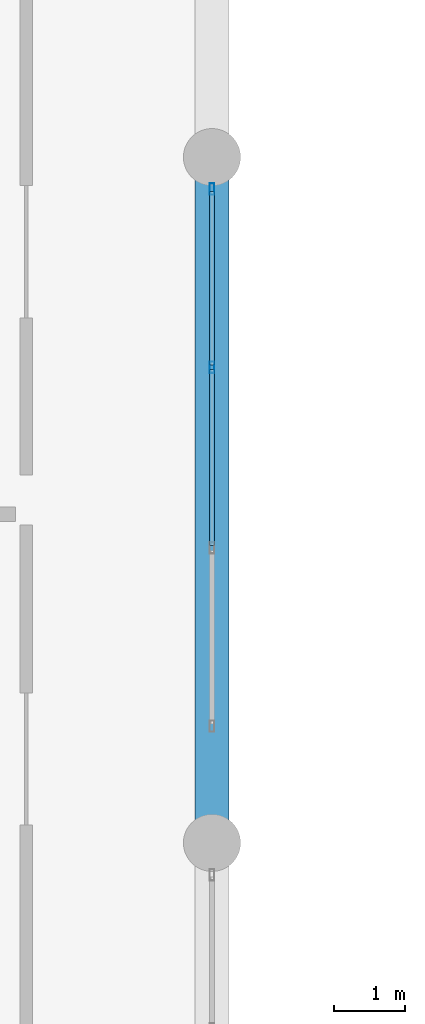
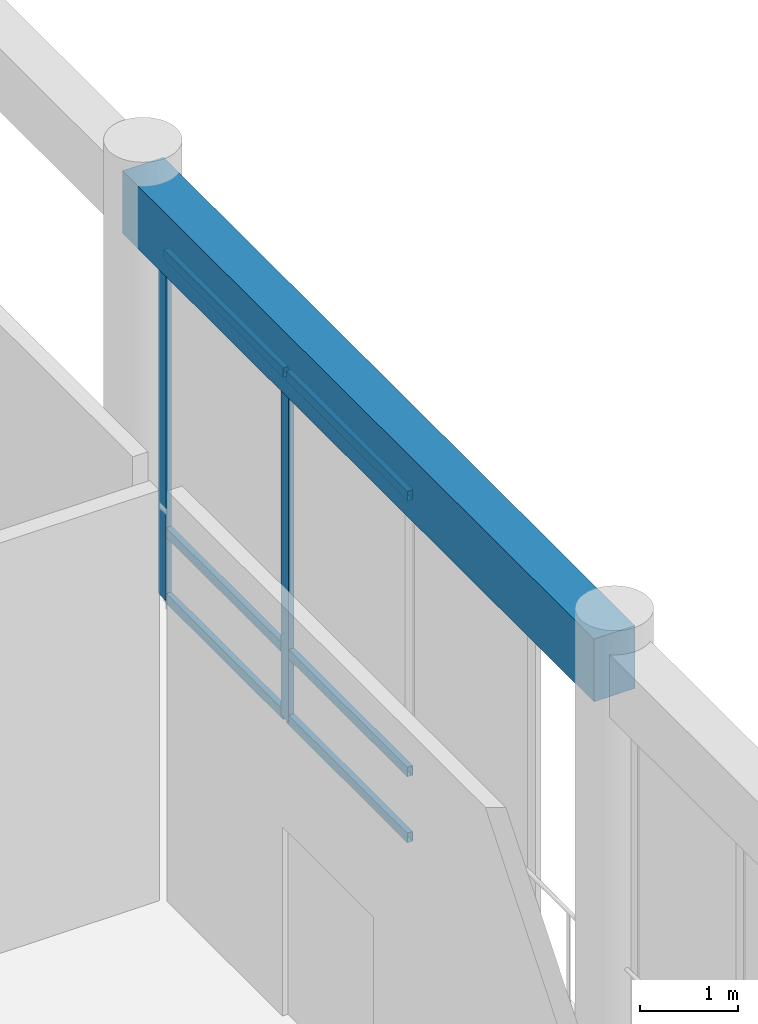
# One storey, part 29 of 134: 8 members, 1 beam, 1 element without a shape of its own.
"""IFC4 building model written with IfcOpenShell, lengths in metres."""

from ifc_helpers import new_model, si_unit, direction, frame, origin, origin_2d, place, context, subcontext, project, spatial, rectangle, hollow_rectangle, extrude, material, layer, layer_set, material_profile, profile_set, type_object, element, aggregate, save


model = new_model("IFC4")

# Units and contexts
model_context = context("Model", 3, precision=1e-05, world=origin(), true_north=direction((0.0, 1.0)))
body_context = subcontext(model_context, "Body", "Model", "MODEL_VIEW")
ifc_project = project(units=[si_unit("LENGTHUNIT", "METRE"), si_unit("AREAUNIT", "SQUARE_METRE"), si_unit("VOLUMEUNIT", "CUBIC_METRE"), si_unit("PLANEANGLEUNIT", "RADIAN"), si_unit("MASSUNIT", "GRAM", prefix="KILO")], contexts=[model_context])

# Site, building, storey
site_placement = place(None, origin())
site = spatial("IfcSite", under=ifc_project, at=site_placement, CompositionType="ELEMENT")
building_placement = place(site_placement, origin())
building = spatial("IfcBuilding", under=site, at=building_placement, Name="Nakhvara Creek Congress Hotel", CompositionType="ELEMENT")
storey_placement = place(building_placement, frame((0.0, 0.0, 6.0)))
storey = spatial("IfcBuildingStorey", under=building, at=storey_placement, Name="L01", CompositionType="ELEMENT", Elevation=6.0)

# Beam
ifc_material_1 = material(Name="Concrete C40/50", Category="concrete")
ifc_material_profile_1 = material_profile(ifc_material_1, rectangle(XDim=0.47998046875, YDim=0.780029296875, at=origin_2d()), Name="RC-BM 480x780", Category="LoadBearing")
ifc_profile_set_1 = profile_set([ifc_material_profile_1], Name="Concrete C40/50")
beam_type = type_object("IfcBeamType", Name="BM-RC-480X780", PredefinedType="BEAM", material=ifc_profile_set_1)
beam_placement = place(storey_placement, frame((76.800048828125, 52.800048828125, 4.7099609375), z_axis=(0.0, 1.0, 0.0), x_axis=(-1.0, 0.0, 0.0)))
element("IfcBeam", 1, at=beam_placement, inside=storey, type_object=beam_type, Name="Beam B13-L01-1156", PredefinedType="BEAM", context=body_context, shape_type="SweptSolid", body=[
    extrude(rectangle(XDim=0.47998046875, YDim=0.780029296875, at=origin_2d()), origin(), (0.0, 0.0, 1.0), 9.599853515625),
])

# Curtain wall, members
ifc_material_2 = material(Name="Bronze-anodised aluminium AW-6063-T6 and double-silver low-E glass", Category="aluminium")
ifc_layer = layer(ifc_material_2, 0.199951171875)
ifc_layer_set = layer_set([ifc_layer], Name="Bronze-anodised aluminium AW-6063-T6 and double-silver low-E glass")
curtain_wall_type = type_object("IfcCurtainWallType", Name="CW-POD-STICK", PredefinedType="NOTDEFINED", material=ifc_layer_set)
curtain_wall_placement = place(storey_placement, origin())
curtain_wall = element("IfcCurtainWall", 2, at=curtain_wall_placement, inside=storey, type_object=curtain_wall_type, Name="Curtain Wall CW029", PredefinedType="NOTDEFINED")
ifc_material_3 = material(Name="Bronze-anodised aluminium AW-6063-T6", Category="aluminium")
ifc_material_profile_2 = material_profile(ifc_material_3, hollow_rectangle(XDim=0.06494140625, YDim=0.159912109375, WallThickness=0.00390625, at=origin_2d()), Name="ALU-MULL 65x160x4", Category="LoadBearing")
ifc_profile_set_2 = profile_set([ifc_material_profile_2], Name="Bronze-anodised aluminium AW-6063-T6")
member_type_1 = type_object("IfcMemberType", Name="CW-MULL-160", PredefinedType="MULLION", material=ifc_profile_set_2)
member_1_placement = place(storey_placement, frame((76.800048828125, 61.952392578125, 0.0), z_axis=(0.0, 0.0, 1.0), x_axis=(1.0, 0.0, 0.0)))
member_1 = element("IfcMember", 3, at=member_1_placement, type_object=member_type_1, Name="CW029 mullion 1", PredefinedType="MULLION", context=body_context, shape_type="SweptSolid", body=[
    extrude(hollow_rectangle(XDim=0.06494140625, YDim=0.159912109375, WallThickness=0.00390625, at=origin_2d()), origin(), (0.0, 0.0, 1.0), 4.31201171875),
])
member_2_placement = place(storey_placement, frame((76.800048828125, 59.456787109375, 0.0), z_axis=(0.0, 0.0, 1.0), x_axis=(1.0, 0.0, 0.0)))
member_2 = element("IfcMember", 4, at=member_2_placement, type_object=member_type_1, Name="CW029 mullion 2", PredefinedType="MULLION", context=body_context, shape_type="SweptSolid", body=[
    extrude(hollow_rectangle(XDim=0.06494140625, YDim=0.159912109375, WallThickness=0.00390625, at=origin_2d()), origin(), (0.0, 0.0, 1.0), 4.31201171875),
])
ifc_material_profile_3 = material_profile(ifc_material_3, hollow_rectangle(XDim=0.06494140625, YDim=0.1201171875, WallThickness=0.00390625, at=origin_2d()), Name="ALU-TRAN 65x120x4", Category="LoadBearing")
ifc_profile_set_3 = profile_set([ifc_material_profile_3], Name="Bronze-anodised aluminium AW-6063-T6")
member_type_2 = type_object("IfcMemberType", Name="CW-TRAN-120", PredefinedType="USERDEFINED", material=ifc_profile_set_3)
member_3_placement = place(storey_placement, frame((76.800048828125, 61.919921875, 0.032470703125), z_axis=(0.0, -1.0, 0.0), x_axis=(1.0, 0.0, 0.0)))
member_3 = element("IfcMember", 5, at=member_3_placement, type_object=member_type_2, Name="CW029 transom 1.1", ObjectType="TRANSOM", PredefinedType="USERDEFINED", context=body_context, shape_type="SweptSolid", body=[
    extrude(hollow_rectangle(XDim=0.06494140625, YDim=0.1201171875, WallThickness=0.00390625, at=origin_2d()), origin(), (0.0, 0.0, 1.0), 2.4306640625),
])
member_4_placement = place(storey_placement, frame((76.800048828125, 61.919921875, 0.85009765625), z_axis=(0.0, -1.0, 0.0), x_axis=(1.0, 0.0, 0.0)))
member_4 = element("IfcMember", 6, at=member_4_placement, type_object=member_type_2, Name="CW029 transom 1.2", ObjectType="TRANSOM", PredefinedType="USERDEFINED", context=body_context, shape_type="SweptSolid", body=[
    extrude(hollow_rectangle(XDim=0.06494140625, YDim=0.1201171875, WallThickness=0.00390625, at=origin_2d()), origin(), (0.0, 0.0, 1.0), 2.4306640625),
])
member_5_placement = place(storey_placement, frame((76.800048828125, 61.919921875, 4.279541015625), z_axis=(0.0, -1.0, 0.0), x_axis=(1.0, 0.0, 0.0)))
member_5 = element("IfcMember", 7, at=member_5_placement, type_object=member_type_2, Name="CW029 transom 1.3", ObjectType="TRANSOM", PredefinedType="USERDEFINED", context=body_context, shape_type="SweptSolid", body=[
    extrude(hollow_rectangle(XDim=0.06494140625, YDim=0.1201171875, WallThickness=0.00390625, at=origin_2d()), origin(), (0.0, 0.0, 1.0), 2.4306640625),
])
member_6_placement = place(storey_placement, frame((76.800048828125, 59.424072265625, 0.032470703125), z_axis=(0.0, -1.0, 0.0), x_axis=(1.0, 0.0, 0.0)))
member_6 = element("IfcMember", 8, at=member_6_placement, type_object=member_type_2, Name="CW029 transom 2.1", ObjectType="TRANSOM", PredefinedType="USERDEFINED", context=body_context, shape_type="SweptSolid", body=[
    extrude(hollow_rectangle(XDim=0.06494140625, YDim=0.1201171875, WallThickness=0.00390625, at=origin_2d()), origin(), (0.0, 0.0, 1.0), 2.463134765625),
])
member_7_placement = place(storey_placement, frame((76.800048828125, 59.424072265625, 0.85009765625), z_axis=(0.0, -1.0, 0.0), x_axis=(1.0, 0.0, 0.0)))
member_7 = element("IfcMember", 9, at=member_7_placement, type_object=member_type_2, Name="CW029 transom 2.2", ObjectType="TRANSOM", PredefinedType="USERDEFINED", context=body_context, shape_type="SweptSolid", body=[
    extrude(hollow_rectangle(XDim=0.06494140625, YDim=0.1201171875, WallThickness=0.00390625, at=origin_2d()), origin(), (0.0, 0.0, 1.0), 2.463134765625),
])
member_8_placement = place(storey_placement, frame((76.800048828125, 59.424072265625, 4.279541015625), z_axis=(0.0, -1.0, 0.0), x_axis=(1.0, 0.0, 0.0)))
member_8 = element("IfcMember", 10, at=member_8_placement, type_object=member_type_2, Name="CW029 transom 2.3", ObjectType="TRANSOM", PredefinedType="USERDEFINED", context=body_context, shape_type="SweptSolid", body=[
    extrude(hollow_rectangle(XDim=0.06494140625, YDim=0.1201171875, WallThickness=0.00390625, at=origin_2d()), origin(), (0.0, 0.0, 1.0), 2.463134765625),
])
aggregate(curtain_wall, [member_1, member_2, member_3, member_4, member_5, member_6, member_7, member_8])

save(model, "model.ifc")
